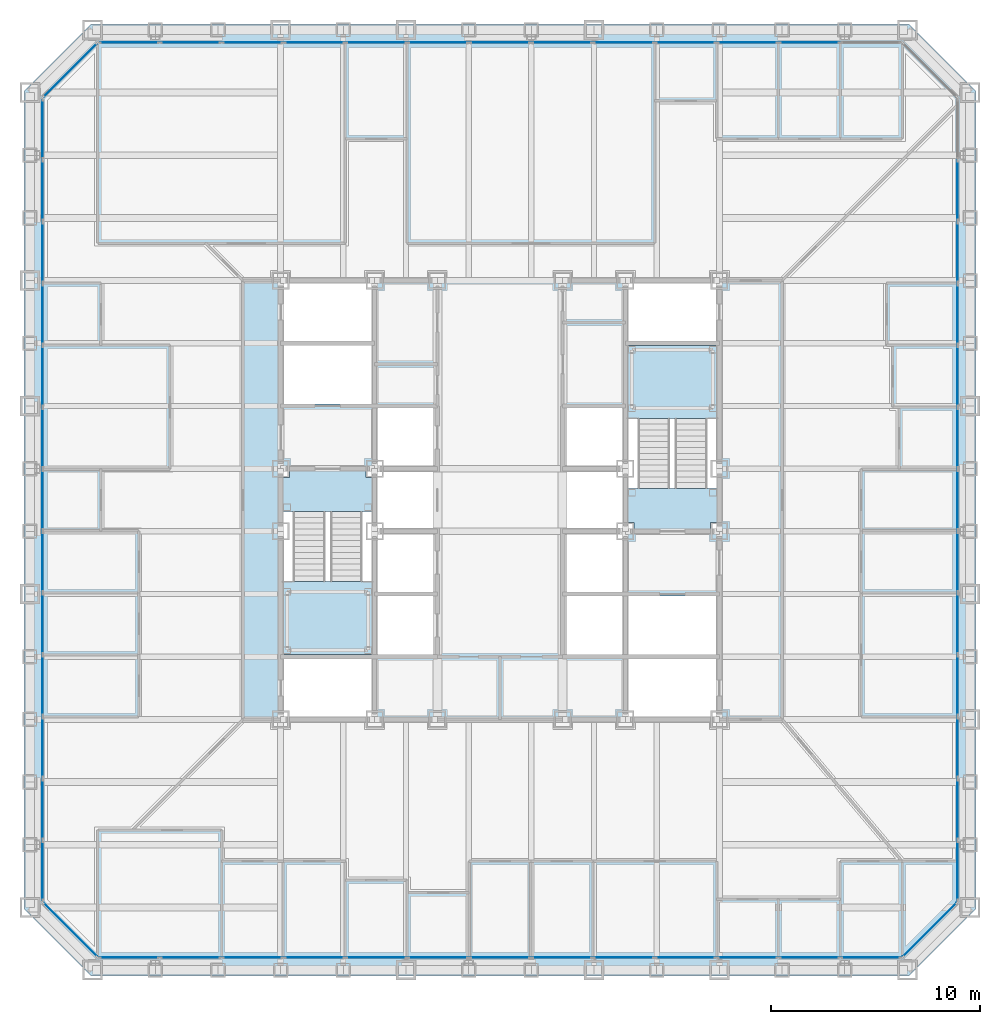
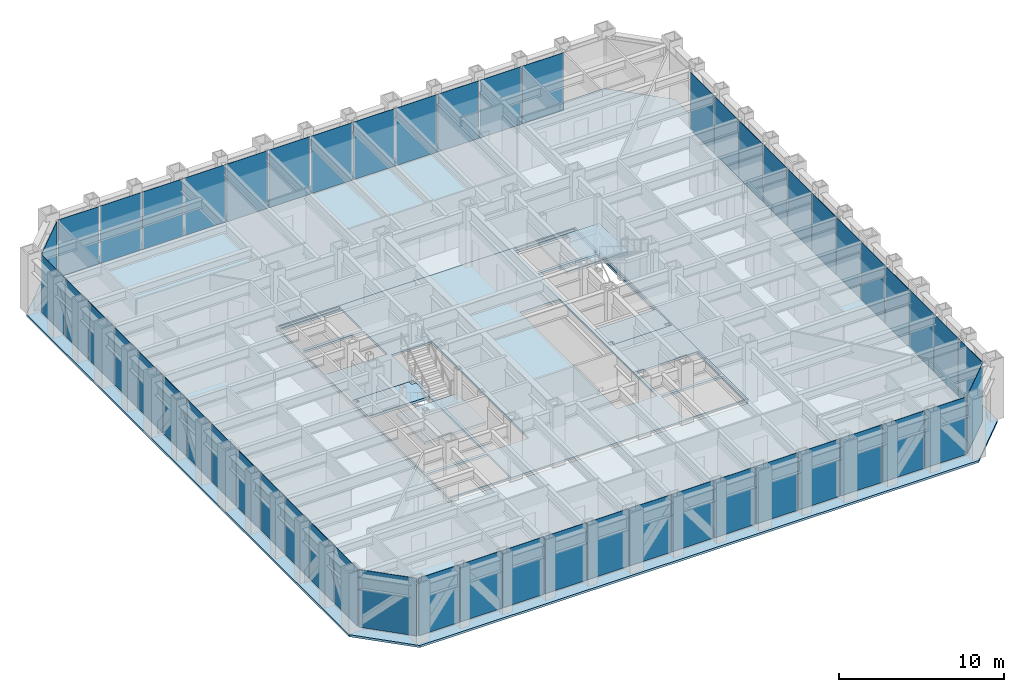
# One storey, part 7 of 16: 53 plates, 6 slabs, 9 elements without a shape of their own.
"""IFC4 building model written with IfcOpenShell, lengths in metres."""

from ifc_helpers import new_model, si_unit, direction, frame, origin, origin_2d, place, context, subcontext, project, spatial, polyline, rectangle, outline, extrude, material, layer, layer_set, type_object, element, aggregate, save


model = new_model("IFC4")

# Units and contexts
model_context = context("Model", 3, precision=1e-05, world=origin(), true_north=direction((0.0, 1.0)))
body_context = subcontext(model_context, "Body", "Model", "MODEL_VIEW")
ifc_project = project(units=[si_unit("LENGTHUNIT", "METRE"), si_unit("AREAUNIT", "SQUARE_METRE"), si_unit("VOLUMEUNIT", "CUBIC_METRE"), si_unit("PLANEANGLEUNIT", "RADIAN"), si_unit("MASSUNIT", "GRAM", prefix="KILO")], contexts=[model_context])

# Site, building, storey
site_placement = place(None, origin())
site = spatial("IfcSite", under=ifc_project, at=site_placement, CompositionType="ELEMENT")
building_placement = place(site_placement, origin())
building = spatial("IfcBuilding", under=site, at=building_placement, Name="Chuquiago Exchange Tower", CompositionType="ELEMENT")
storey_placement = place(building_placement, frame((0.0, 0.0, 28.800048828125)))
storey = spatial("IfcBuildingStorey", under=building, at=storey_placement, Name="L05", CompositionType="ELEMENT", Elevation=28.800048828125)

# Curtain wall, plates
ifc_material_1 = material(Name="Aluminium curtain wall system", Category="aluminium")
ifc_layer_1 = layer(ifc_material_1, 0.25)
ifc_layer_set_1 = layer_set([ifc_layer_1], Name="CW1 trading floor curtain wall")
curtain_wall_type_1 = type_object("IfcCurtainWallType", Name="CW1 trading floor curtain wall", PredefinedType="NOTDEFINED", material=ifc_layer_set_1)
curtain_wall_1_placement = place(storey_placement, origin())
curtain_wall_1 = element("IfcCurtainWall", 1, at=curtain_wall_1_placement, inside=storey, type_object=curtain_wall_type_1, Name="CW1 curtain wall L05", PredefinedType="NOTDEFINED")
ifc_material_2 = material(Name="Glass, insulating unit", Category="glass")
ifc_layer_2 = layer(ifc_material_2, 0.031982421875)
ifc_layer_set_2 = layer_set([ifc_layer_2], Name="CW1-P panel 32")
plate_type_1 = type_object("IfcPlateType", Name="CW1-P panel 32", PredefinedType="CURTAIN_PANEL", material=ifc_layer_set_2)
plate_1_placement = place(storey_placement, frame((10.65283203125, 0.60009765625, -0.22509765625), z_axis=(0.0, 0.0, 1.0), x_axis=(1.0, 0.0, 0.0)))
plate_1 = element("IfcPlate", 2, at=plate_1_placement, type_object=plate_type_1, Name="CW1 panel 3.1", PredefinedType="CURTAIN_PANEL", context=body_context, shape_type="SweptSolid", body=[
    extrude(rectangle(XDim=2.88671875, YDim=0.031982421875, at=origin_2d()), origin(), (0.0, 0.0, 1.0), 4.264892578125),
])
plate_2_placement = place(storey_placement, frame((13.61474609375, 0.60009765625, -0.22509765625), z_axis=(0.0, 0.0, 1.0), x_axis=(1.0, 0.0, 0.0)))
plate_2 = element("IfcPlate", 3, at=plate_2_placement, type_object=plate_type_1, Name="CW1 panel 4.1", PredefinedType="CURTAIN_PANEL", context=body_context, shape_type="SweptSolid", body=[
    extrude(rectangle(XDim=2.88671875, YDim=0.031982421875, at=origin_2d()), origin(), (0.0, 0.0, 1.0), 4.264892578125),
])
plate_3_placement = place(storey_placement, frame((16.576416015625, 0.60009765625, -0.22509765625), z_axis=(0.0, 0.0, 1.0), x_axis=(1.0, 0.0, 0.0)))
plate_3 = element("IfcPlate", 4, at=plate_3_placement, type_object=plate_type_1, Name="CW1 panel 5.1", PredefinedType="CURTAIN_PANEL", context=body_context, shape_type="SweptSolid", body=[
    extrude(rectangle(XDim=2.88671875, YDim=0.031982421875, at=origin_2d()), origin(), (0.0, 0.0, 1.0), 4.264892578125),
])
plate_4_placement = place(storey_placement, frame((25.461669921875, 0.60009765625, -0.22509765625), z_axis=(0.0, 0.0, 1.0), x_axis=(1.0, 0.0, 0.0)))
plate_4 = element("IfcPlate", 5, at=plate_4_placement, type_object=plate_type_1, Name="CW1 panel 8.1", PredefinedType="CURTAIN_PANEL", context=body_context, shape_type="SweptSolid", body=[
    extrude(rectangle(XDim=2.88671875, YDim=0.031982421875, at=origin_2d()), origin(), (0.0, 0.0, 1.0), 4.264892578125),
])
plate_5_placement = place(storey_placement, frame((28.423583984375, 0.60009765625, -0.22509765625), z_axis=(0.0, 0.0, 1.0), x_axis=(1.0, 0.0, 0.0)))
plate_5 = element("IfcPlate", 6, at=plate_5_placement, type_object=plate_type_1, Name="CW1 panel 9.1", PredefinedType="CURTAIN_PANEL", context=body_context, shape_type="SweptSolid", body=[
    extrude(rectangle(XDim=2.88671875, YDim=0.031982421875, at=origin_2d()), origin(), (0.0, 0.0, 1.0), 4.264892578125),
])
plate_6_placement = place(storey_placement, frame((31.38525390625, 0.60009765625, -0.22509765625), z_axis=(0.0, 0.0, 1.0), x_axis=(1.0, 0.0, 0.0)))
plate_6 = element("IfcPlate", 7, at=plate_6_placement, type_object=plate_type_1, Name="CW1 panel 10.1", PredefinedType="CURTAIN_PANEL", context=body_context, shape_type="SweptSolid", body=[
    extrude(rectangle(XDim=2.88671875, YDim=0.031982421875, at=origin_2d()), origin(), (0.0, 0.0, 1.0), 4.264892578125),
])
plate_7_placement = place(storey_placement, frame((34.34716796875, 0.60009765625, -0.22509765625), z_axis=(0.0, 0.0, 1.0), x_axis=(1.0, 0.0, 0.0)))
plate_7 = element("IfcPlate", 8, at=plate_7_placement, type_object=plate_type_1, Name="CW1 panel 11.1", PredefinedType="CURTAIN_PANEL", context=body_context, shape_type="SweptSolid", body=[
    extrude(rectangle(XDim=2.88671875, YDim=0.031982421875, at=origin_2d()), origin(), (0.0, 0.0, 1.0), 4.264892578125),
])

curtain_wall_2_placement = place(storey_placement, origin())
curtain_wall_2 = element("IfcCurtainWall", 9, at=curtain_wall_2_placement, inside=storey, type_object=curtain_wall_type_1, Name="CW1 curtain wall L05", PredefinedType="NOTDEFINED")
plate_8_placement = place(storey_placement, frame((44.39990234375, 10.65283203125, -0.22509765625), z_axis=(0.0, 0.0, 1.0), x_axis=(0.0, 1.0, 0.0)))
plate_8 = element("IfcPlate", 10, at=plate_8_placement, type_object=plate_type_1, Name="CW1 panel 3.1", PredefinedType="CURTAIN_PANEL", context=body_context, shape_type="SweptSolid", body=[
    extrude(rectangle(XDim=2.88671875, YDim=0.031982421875, at=origin_2d()), origin(), (0.0, 0.0, 1.0), 4.264892578125),
])
plate_9_placement = place(storey_placement, frame((44.39990234375, 13.61474609375, -0.22509765625), z_axis=(0.0, 0.0, 1.0), x_axis=(0.0, 1.0, 0.0)))
plate_9 = element("IfcPlate", 11, at=plate_9_placement, type_object=plate_type_1, Name="CW1 panel 4.1", PredefinedType="CURTAIN_PANEL", context=body_context, shape_type="SweptSolid", body=[
    extrude(rectangle(XDim=2.88671875, YDim=0.031982421875, at=origin_2d()), origin(), (0.0, 0.0, 1.0), 4.264892578125),
])
plate_10_placement = place(storey_placement, frame((44.39990234375, 16.576416015625, -0.22509765625), z_axis=(0.0, 0.0, 1.0), x_axis=(0.0, 1.0, 0.0)))
plate_10 = element("IfcPlate", 12, at=plate_10_placement, type_object=plate_type_1, Name="CW1 panel 5.1", PredefinedType="CURTAIN_PANEL", context=body_context, shape_type="SweptSolid", body=[
    extrude(rectangle(XDim=2.88671875, YDim=0.031982421875, at=origin_2d()), origin(), (0.0, 0.0, 1.0), 4.264892578125),
])
plate_11_placement = place(storey_placement, frame((44.39990234375, 25.461669921875, -0.22509765625), z_axis=(0.0, 0.0, 1.0), x_axis=(0.0, 1.0, 0.0)))
plate_11 = element("IfcPlate", 13, at=plate_11_placement, type_object=plate_type_1, Name="CW1 panel 8.1", PredefinedType="CURTAIN_PANEL", context=body_context, shape_type="SweptSolid", body=[
    extrude(rectangle(XDim=2.88671875, YDim=0.031982421875, at=origin_2d()), origin(), (0.0, 0.0, 1.0), 4.264892578125),
])
plate_12_placement = place(storey_placement, frame((44.39990234375, 28.423583984375, -0.22509765625), z_axis=(0.0, 0.0, 1.0), x_axis=(0.0, 1.0, 0.0)))
plate_12 = element("IfcPlate", 14, at=plate_12_placement, type_object=plate_type_1, Name="CW1 panel 9.1", PredefinedType="CURTAIN_PANEL", context=body_context, shape_type="SweptSolid", body=[
    extrude(rectangle(XDim=2.88671875, YDim=0.031982421875, at=origin_2d()), origin(), (0.0, 0.0, 1.0), 4.264892578125),
])
plate_13_placement = place(storey_placement, frame((44.39990234375, 31.38525390625, -0.22509765625), z_axis=(0.0, 0.0, 1.0), x_axis=(0.0, 1.0, 0.0)))
plate_13 = element("IfcPlate", 15, at=plate_13_placement, type_object=plate_type_1, Name="CW1 panel 10.1", PredefinedType="CURTAIN_PANEL", context=body_context, shape_type="SweptSolid", body=[
    extrude(rectangle(XDim=2.88671875, YDim=0.031982421875, at=origin_2d()), origin(), (0.0, 0.0, 1.0), 4.264892578125),
])
plate_14_placement = place(storey_placement, frame((44.39990234375, 34.34716796875, -0.22509765625), z_axis=(0.0, 0.0, 1.0), x_axis=(0.0, 1.0, 0.0)))
plate_14 = element("IfcPlate", 16, at=plate_14_placement, type_object=plate_type_1, Name="CW1 panel 11.1", PredefinedType="CURTAIN_PANEL", context=body_context, shape_type="SweptSolid", body=[
    extrude(rectangle(XDim=2.88671875, YDim=0.031982421875, at=origin_2d()), origin(), (0.0, 0.0, 1.0), 4.264892578125),
])

curtain_wall_3_placement = place(storey_placement, origin())
curtain_wall_3 = element("IfcCurtainWall", 17, at=curtain_wall_3_placement, inside=storey, type_object=curtain_wall_type_1, Name="CW1 curtain wall L05", PredefinedType="NOTDEFINED")
plate_15_placement = place(storey_placement, frame((34.34716796875, 44.39990234375, -0.22509765625), z_axis=(0.0, 0.0, 1.0), x_axis=(-1.0, 0.0, 0.0)))
plate_15 = element("IfcPlate", 18, at=plate_15_placement, type_object=plate_type_1, Name="CW1 panel 3.1", PredefinedType="CURTAIN_PANEL", context=body_context, shape_type="SweptSolid", body=[
    extrude(rectangle(XDim=2.88671875, YDim=0.031982421875, at=origin_2d()), origin(), (0.0, 0.0, 1.0), 4.264892578125),
])
plate_16_placement = place(storey_placement, frame((31.38525390625, 44.39990234375, -0.22509765625), z_axis=(0.0, 0.0, 1.0), x_axis=(-1.0, 0.0, 0.0)))
plate_16 = element("IfcPlate", 19, at=plate_16_placement, type_object=plate_type_1, Name="CW1 panel 4.1", PredefinedType="CURTAIN_PANEL", context=body_context, shape_type="SweptSolid", body=[
    extrude(rectangle(XDim=2.88671875, YDim=0.031982421875, at=origin_2d()), origin(), (0.0, 0.0, 1.0), 4.264892578125),
])
plate_17_placement = place(storey_placement, frame((28.423583984375, 44.39990234375, -0.22509765625), z_axis=(0.0, 0.0, 1.0), x_axis=(-1.0, 0.0, 0.0)))
plate_17 = element("IfcPlate", 20, at=plate_17_placement, type_object=plate_type_1, Name="CW1 panel 5.1", PredefinedType="CURTAIN_PANEL", context=body_context, shape_type="SweptSolid", body=[
    extrude(rectangle(XDim=2.88671875, YDim=0.031982421875, at=origin_2d()), origin(), (0.0, 0.0, 1.0), 4.264892578125),
])
plate_18_placement = place(storey_placement, frame((19.538330078125, 44.39990234375, -0.22509765625), z_axis=(0.0, 0.0, 1.0), x_axis=(-1.0, 0.0, 0.0)))
plate_18 = element("IfcPlate", 21, at=plate_18_placement, type_object=plate_type_1, Name="CW1 panel 8.1", PredefinedType="CURTAIN_PANEL", context=body_context, shape_type="SweptSolid", body=[
    extrude(rectangle(XDim=2.88671875, YDim=0.031982421875, at=origin_2d()), origin(), (0.0, 0.0, 1.0), 4.264892578125),
])
plate_19_placement = place(storey_placement, frame((16.576416015625, 44.39990234375, -0.22509765625), z_axis=(0.0, 0.0, 1.0), x_axis=(-1.0, 0.0, 0.0)))
plate_19 = element("IfcPlate", 22, at=plate_19_placement, type_object=plate_type_1, Name="CW1 panel 9.1", PredefinedType="CURTAIN_PANEL", context=body_context, shape_type="SweptSolid", body=[
    extrude(rectangle(XDim=2.88671875, YDim=0.031982421875, at=origin_2d()), origin(), (0.0, 0.0, 1.0), 4.264892578125),
])
plate_20_placement = place(storey_placement, frame((13.61474609375, 44.39990234375, -0.22509765625), z_axis=(0.0, 0.0, 1.0), x_axis=(-1.0, 0.0, 0.0)))
plate_20 = element("IfcPlate", 23, at=plate_20_placement, type_object=plate_type_1, Name="CW1 panel 10.1", PredefinedType="CURTAIN_PANEL", context=body_context, shape_type="SweptSolid", body=[
    extrude(rectangle(XDim=2.88671875, YDim=0.031982421875, at=origin_2d()), origin(), (0.0, 0.0, 1.0), 4.264892578125),
])
plate_21_placement = place(storey_placement, frame((10.65283203125, 44.39990234375, -0.22509765625), z_axis=(0.0, 0.0, 1.0), x_axis=(-1.0, 0.0, 0.0)))
plate_21 = element("IfcPlate", 24, at=plate_21_placement, type_object=plate_type_1, Name="CW1 panel 11.1", PredefinedType="CURTAIN_PANEL", context=body_context, shape_type="SweptSolid", body=[
    extrude(rectangle(XDim=2.88671875, YDim=0.031982421875, at=origin_2d()), origin(), (0.0, 0.0, 1.0), 4.264892578125),
])

curtain_wall_4_placement = place(storey_placement, origin())
curtain_wall_4 = element("IfcCurtainWall", 25, at=curtain_wall_4_placement, inside=storey, type_object=curtain_wall_type_1, Name="CW1 curtain wall L05", PredefinedType="NOTDEFINED")
plate_22_placement = place(storey_placement, frame((0.60009765625, 34.34716796875, -0.22509765625), z_axis=(0.0, 0.0, 1.0), x_axis=(0.0, -1.0, 0.0)))
plate_22 = element("IfcPlate", 26, at=plate_22_placement, type_object=plate_type_1, Name="CW1 panel 3.1", PredefinedType="CURTAIN_PANEL", context=body_context, shape_type="SweptSolid", body=[
    extrude(rectangle(XDim=2.88671875, YDim=0.031982421875, at=origin_2d()), origin(), (0.0, 0.0, 1.0), 4.264892578125),
])
plate_23_placement = place(storey_placement, frame((0.60009765625, 31.38525390625, -0.22509765625), z_axis=(0.0, 0.0, 1.0), x_axis=(0.0, -1.0, 0.0)))
plate_23 = element("IfcPlate", 27, at=plate_23_placement, type_object=plate_type_1, Name="CW1 panel 4.1", PredefinedType="CURTAIN_PANEL", context=body_context, shape_type="SweptSolid", body=[
    extrude(rectangle(XDim=2.88671875, YDim=0.031982421875, at=origin_2d()), origin(), (0.0, 0.0, 1.0), 4.264892578125),
])
plate_24_placement = place(storey_placement, frame((0.60009765625, 28.423583984375, -0.22509765625), z_axis=(0.0, 0.0, 1.0), x_axis=(0.0, -1.0, 0.0)))
plate_24 = element("IfcPlate", 28, at=plate_24_placement, type_object=plate_type_1, Name="CW1 panel 5.1", PredefinedType="CURTAIN_PANEL", context=body_context, shape_type="SweptSolid", body=[
    extrude(rectangle(XDim=2.88671875, YDim=0.031982421875, at=origin_2d()), origin(), (0.0, 0.0, 1.0), 4.264892578125),
])
plate_25_placement = place(storey_placement, frame((0.60009765625, 19.538330078125, -0.22509765625), z_axis=(0.0, 0.0, 1.0), x_axis=(0.0, -1.0, 0.0)))
plate_25 = element("IfcPlate", 29, at=plate_25_placement, type_object=plate_type_1, Name="CW1 panel 8.1", PredefinedType="CURTAIN_PANEL", context=body_context, shape_type="SweptSolid", body=[
    extrude(rectangle(XDim=2.88671875, YDim=0.031982421875, at=origin_2d()), origin(), (0.0, 0.0, 1.0), 4.264892578125),
])
plate_26_placement = place(storey_placement, frame((0.60009765625, 16.576416015625, -0.22509765625), z_axis=(0.0, 0.0, 1.0), x_axis=(0.0, -1.0, 0.0)))
plate_26 = element("IfcPlate", 30, at=plate_26_placement, type_object=plate_type_1, Name="CW1 panel 9.1", PredefinedType="CURTAIN_PANEL", context=body_context, shape_type="SweptSolid", body=[
    extrude(rectangle(XDim=2.88671875, YDim=0.031982421875, at=origin_2d()), origin(), (0.0, 0.0, 1.0), 4.264892578125),
])
plate_27_placement = place(storey_placement, frame((0.60009765625, 13.61474609375, -0.22509765625), z_axis=(0.0, 0.0, 1.0), x_axis=(0.0, -1.0, 0.0)))
plate_27 = element("IfcPlate", 31, at=plate_27_placement, type_object=plate_type_1, Name="CW1 panel 10.1", PredefinedType="CURTAIN_PANEL", context=body_context, shape_type="SweptSolid", body=[
    extrude(rectangle(XDim=2.88671875, YDim=0.031982421875, at=origin_2d()), origin(), (0.0, 0.0, 1.0), 4.264892578125),
])
plate_28_placement = place(storey_placement, frame((0.60009765625, 10.65283203125, -0.22509765625), z_axis=(0.0, 0.0, 1.0), x_axis=(0.0, -1.0, 0.0)))
plate_28 = element("IfcPlate", 32, at=plate_28_placement, type_object=plate_type_1, Name="CW1 panel 11.1", PredefinedType="CURTAIN_PANEL", context=body_context, shape_type="SweptSolid", body=[
    extrude(rectangle(XDim=2.88671875, YDim=0.031982421875, at=origin_2d()), origin(), (0.0, 0.0, 1.0), 4.264892578125),
])

# Plate
ifc_material_3 = material(Name="Insulated spandrel panel, pale anodised aluminium", Category="aluminium")
ifc_layer_3 = layer(ifc_material_3, 0.031982421875)
ifc_layer_set_3 = layer_set([ifc_layer_3], Name="CW1-P spandrel panel 32")
plate_type_2 = type_object("IfcPlateType", Name="CW1-P spandrel panel 32", PredefinedType="CURTAIN_PANEL", material=ifc_layer_set_3)
plate_29_placement = place(storey_placement, frame((4.748046875, 0.60009765625, -0.22509765625), z_axis=(0.0, 0.0, 1.0), x_axis=(1.0, 0.0, 0.0)))
plate_29 = element("IfcPlate", 33, at=plate_29_placement, type_object=plate_type_2, Name="CW1 panel 1.1", PredefinedType="CURTAIN_PANEL", context=body_context, shape_type="SweptSolid", body=[
    extrude(rectangle(XDim=2.849365234375, YDim=0.031982421875, at=origin_2d()), origin(), (0.0, 0.0, 1.0), 4.264892578125),
])

plate_30_placement = place(storey_placement, frame((7.691162109375, 0.60009765625, -0.22509765625), z_axis=(0.0, 0.0, 1.0), x_axis=(1.0, 0.0, 0.0)))
plate_30 = element("IfcPlate", 34, at=plate_30_placement, type_object=plate_type_2, Name="CW1 panel 2.1", PredefinedType="CURTAIN_PANEL", context=body_context, shape_type="SweptSolid", body=[
    extrude(rectangle(XDim=2.88671875, YDim=0.031982421875, at=origin_2d()), origin(), (0.0, 0.0, 1.0), 4.264892578125),
])

plate_31_placement = place(storey_placement, frame((19.538330078125, 0.60009765625, -0.22509765625), z_axis=(0.0, 0.0, 1.0), x_axis=(1.0, 0.0, 0.0)))
plate_31 = element("IfcPlate", 35, at=plate_31_placement, type_object=plate_type_2, Name="CW1 panel 6.1", PredefinedType="CURTAIN_PANEL", context=body_context, shape_type="SweptSolid", body=[
    extrude(rectangle(XDim=2.88671875, YDim=0.031982421875, at=origin_2d()), origin(), (0.0, 0.0, 1.0), 4.264892578125),
])

plate_32_placement = place(storey_placement, frame((22.5, 0.60009765625, -0.22509765625), z_axis=(0.0, 0.0, 1.0), x_axis=(1.0, 0.0, 0.0)))
plate_32 = element("IfcPlate", 36, at=plate_32_placement, type_object=plate_type_2, Name="CW1 panel 7.1", PredefinedType="CURTAIN_PANEL", context=body_context, shape_type="SweptSolid", body=[
    extrude(rectangle(XDim=2.88671875, YDim=0.031982421875, at=origin_2d()), origin(), (0.0, 0.0, 1.0), 4.264892578125),
])

plate_33_placement = place(storey_placement, frame((37.308837890625, 0.60009765625, -0.22509765625), z_axis=(0.0, 0.0, 1.0), x_axis=(1.0, 0.0, 0.0)))
plate_33 = element("IfcPlate", 37, at=plate_33_placement, type_object=plate_type_2, Name="CW1 panel 12.1", PredefinedType="CURTAIN_PANEL", context=body_context, shape_type="SweptSolid", body=[
    extrude(rectangle(XDim=2.88671875, YDim=0.031982421875, at=origin_2d()), origin(), (0.0, 0.0, 1.0), 4.264892578125),
])

plate_34_placement = place(storey_placement, frame((40.251953125, 0.60009765625, -0.22509765625), z_axis=(0.0, 0.0, 1.0), x_axis=(1.0, 0.0, 0.0)))
plate_34 = element("IfcPlate", 38, at=plate_34_placement, type_object=plate_type_2, Name="CW1 panel 13.1", PredefinedType="CURTAIN_PANEL", context=body_context, shape_type="SweptSolid", body=[
    extrude(rectangle(XDim=2.849365234375, YDim=0.031982421875, at=origin_2d()), origin(), (0.0, 0.0, 1.0), 4.264892578125),
])

aggregate(curtain_wall_1, [plate_29, plate_30, plate_1, plate_2, plate_3, plate_31, plate_32, plate_4, plate_5, plate_6, plate_7, plate_33, plate_34])

plate_35_placement = place(storey_placement, frame((44.39990234375, 4.748046875, -0.22509765625), z_axis=(0.0, 0.0, 1.0), x_axis=(0.0, 1.0, 0.0)))
plate_35 = element("IfcPlate", 39, at=plate_35_placement, type_object=plate_type_2, Name="CW1 panel 1.1", PredefinedType="CURTAIN_PANEL", context=body_context, shape_type="SweptSolid", body=[
    extrude(rectangle(XDim=2.849365234375, YDim=0.031982421875, at=origin_2d()), origin(), (0.0, 0.0, 1.0), 4.264892578125),
])

plate_36_placement = place(storey_placement, frame((44.39990234375, 7.691162109375, -0.22509765625), z_axis=(0.0, 0.0, 1.0), x_axis=(0.0, 1.0, 0.0)))
plate_36 = element("IfcPlate", 40, at=plate_36_placement, type_object=plate_type_2, Name="CW1 panel 2.1", PredefinedType="CURTAIN_PANEL", context=body_context, shape_type="SweptSolid", body=[
    extrude(rectangle(XDim=2.88671875, YDim=0.031982421875, at=origin_2d()), origin(), (0.0, 0.0, 1.0), 4.264892578125),
])

plate_37_placement = place(storey_placement, frame((44.39990234375, 19.538330078125, -0.22509765625), z_axis=(0.0, 0.0, 1.0), x_axis=(0.0, 1.0, 0.0)))
plate_37 = element("IfcPlate", 41, at=plate_37_placement, type_object=plate_type_2, Name="CW1 panel 6.1", PredefinedType="CURTAIN_PANEL", context=body_context, shape_type="SweptSolid", body=[
    extrude(rectangle(XDim=2.88671875, YDim=0.031982421875, at=origin_2d()), origin(), (0.0, 0.0, 1.0), 4.264892578125),
])

plate_38_placement = place(storey_placement, frame((44.39990234375, 22.5, -0.22509765625), z_axis=(0.0, 0.0, 1.0), x_axis=(0.0, 1.0, 0.0)))
plate_38 = element("IfcPlate", 42, at=plate_38_placement, type_object=plate_type_2, Name="CW1 panel 7.1", PredefinedType="CURTAIN_PANEL", context=body_context, shape_type="SweptSolid", body=[
    extrude(rectangle(XDim=2.88671875, YDim=0.031982421875, at=origin_2d()), origin(), (0.0, 0.0, 1.0), 4.264892578125),
])

plate_39_placement = place(storey_placement, frame((44.39990234375, 37.308837890625, -0.22509765625), z_axis=(0.0, 0.0, 1.0), x_axis=(0.0, 1.0, 0.0)))
plate_39 = element("IfcPlate", 43, at=plate_39_placement, type_object=plate_type_2, Name="CW1 panel 12.1", PredefinedType="CURTAIN_PANEL", context=body_context, shape_type="SweptSolid", body=[
    extrude(rectangle(XDim=2.88671875, YDim=0.031982421875, at=origin_2d()), origin(), (0.0, 0.0, 1.0), 4.264892578125),
])

aggregate(curtain_wall_2, [plate_35, plate_36, plate_8, plate_9, plate_10, plate_37, plate_38, plate_11, plate_12, plate_13, plate_14, plate_39])

plate_40_placement = place(storey_placement, frame((37.308837890625, 44.39990234375, -0.22509765625), z_axis=(0.0, 0.0, 1.0), x_axis=(-1.0, 0.0, 0.0)))
plate_40 = element("IfcPlate", 44, at=plate_40_placement, type_object=plate_type_2, Name="CW1 panel 2.1", PredefinedType="CURTAIN_PANEL", context=body_context, shape_type="SweptSolid", body=[
    extrude(rectangle(XDim=2.88671875, YDim=0.031982421875, at=origin_2d()), origin(), (0.0, 0.0, 1.0), 4.264892578125),
])

plate_41_placement = place(storey_placement, frame((25.461669921875, 44.39990234375, -0.22509765625), z_axis=(0.0, 0.0, 1.0), x_axis=(-1.0, 0.0, 0.0)))
plate_41 = element("IfcPlate", 45, at=plate_41_placement, type_object=plate_type_2, Name="CW1 panel 6.1", PredefinedType="CURTAIN_PANEL", context=body_context, shape_type="SweptSolid", body=[
    extrude(rectangle(XDim=2.88671875, YDim=0.031982421875, at=origin_2d()), origin(), (0.0, 0.0, 1.0), 4.264892578125),
])

plate_42_placement = place(storey_placement, frame((22.5, 44.39990234375, -0.22509765625), z_axis=(0.0, 0.0, 1.0), x_axis=(-1.0, 0.0, 0.0)))
plate_42 = element("IfcPlate", 46, at=plate_42_placement, type_object=plate_type_2, Name="CW1 panel 7.1", PredefinedType="CURTAIN_PANEL", context=body_context, shape_type="SweptSolid", body=[
    extrude(rectangle(XDim=2.88671875, YDim=0.031982421875, at=origin_2d()), origin(), (0.0, 0.0, 1.0), 4.264892578125),
])

plate_43_placement = place(storey_placement, frame((7.691162109375, 44.39990234375, -0.22509765625), z_axis=(0.0, 0.0, 1.0), x_axis=(-1.0, 0.0, 0.0)))
plate_43 = element("IfcPlate", 47, at=plate_43_placement, type_object=plate_type_2, Name="CW1 panel 12.1", PredefinedType="CURTAIN_PANEL", context=body_context, shape_type="SweptSolid", body=[
    extrude(rectangle(XDim=2.88671875, YDim=0.031982421875, at=origin_2d()), origin(), (0.0, 0.0, 1.0), 4.264892578125),
])

plate_44_placement = place(storey_placement, frame((4.748046875, 44.39990234375, -0.22509765625), z_axis=(0.0, 0.0, 1.0), x_axis=(-1.0, 0.0, 0.0)))
plate_44 = element("IfcPlate", 48, at=plate_44_placement, type_object=plate_type_2, Name="CW1 panel 13.1", PredefinedType="CURTAIN_PANEL", context=body_context, shape_type="SweptSolid", body=[
    extrude(rectangle(XDim=2.849365234375, YDim=0.031982421875, at=origin_2d()), origin(), (0.0, 0.0, 1.0), 4.264892578125),
])

aggregate(curtain_wall_3, [plate_40, plate_15, plate_16, plate_17, plate_41, plate_42, plate_18, plate_19, plate_20, plate_21, plate_43, plate_44])

plate_45_placement = place(storey_placement, frame((0.60009765625, 40.251953125, -0.22509765625), z_axis=(0.0, 0.0, 1.0), x_axis=(0.0, -1.0, 0.0)))
plate_45 = element("IfcPlate", 49, at=plate_45_placement, type_object=plate_type_2, Name="CW1 panel 1.1", PredefinedType="CURTAIN_PANEL", context=body_context, shape_type="SweptSolid", body=[
    extrude(rectangle(XDim=2.849365234375, YDim=0.031982421875, at=origin_2d()), origin(), (0.0, 0.0, 1.0), 4.264892578125),
])

plate_46_placement = place(storey_placement, frame((0.60009765625, 37.308837890625, -0.22509765625), z_axis=(0.0, 0.0, 1.0), x_axis=(0.0, -1.0, 0.0)))
plate_46 = element("IfcPlate", 50, at=plate_46_placement, type_object=plate_type_2, Name="CW1 panel 2.1", PredefinedType="CURTAIN_PANEL", context=body_context, shape_type="SweptSolid", body=[
    extrude(rectangle(XDim=2.88671875, YDim=0.031982421875, at=origin_2d()), origin(), (0.0, 0.0, 1.0), 4.264892578125),
])

plate_47_placement = place(storey_placement, frame((0.60009765625, 25.461669921875, -0.22509765625), z_axis=(0.0, 0.0, 1.0), x_axis=(0.0, -1.0, 0.0)))
plate_47 = element("IfcPlate", 51, at=plate_47_placement, type_object=plate_type_2, Name="CW1 panel 6.1", PredefinedType="CURTAIN_PANEL", context=body_context, shape_type="SweptSolid", body=[
    extrude(rectangle(XDim=2.88671875, YDim=0.031982421875, at=origin_2d()), origin(), (0.0, 0.0, 1.0), 4.264892578125),
])

plate_48_placement = place(storey_placement, frame((0.60009765625, 22.5, -0.22509765625), z_axis=(0.0, 0.0, 1.0), x_axis=(0.0, -1.0, 0.0)))
plate_48 = element("IfcPlate", 52, at=plate_48_placement, type_object=plate_type_2, Name="CW1 panel 7.1", PredefinedType="CURTAIN_PANEL", context=body_context, shape_type="SweptSolid", body=[
    extrude(rectangle(XDim=2.88671875, YDim=0.031982421875, at=origin_2d()), origin(), (0.0, 0.0, 1.0), 4.264892578125),
])

plate_49_placement = place(storey_placement, frame((0.60009765625, 7.691162109375, -0.22509765625), z_axis=(0.0, 0.0, 1.0), x_axis=(0.0, -1.0, 0.0)))
plate_49 = element("IfcPlate", 53, at=plate_49_placement, type_object=plate_type_2, Name="CW1 panel 12.1", PredefinedType="CURTAIN_PANEL", context=body_context, shape_type="SweptSolid", body=[
    extrude(rectangle(XDim=2.88671875, YDim=0.031982421875, at=origin_2d()), origin(), (0.0, 0.0, 1.0), 4.264892578125),
])

plate_50_placement = place(storey_placement, frame((0.60009765625, 4.748046875, -0.22509765625), z_axis=(0.0, 0.0, 1.0), x_axis=(0.0, -1.0, 0.0)))
plate_50 = element("IfcPlate", 54, at=plate_50_placement, type_object=plate_type_2, Name="CW1 panel 13.1", PredefinedType="CURTAIN_PANEL", context=body_context, shape_type="SweptSolid", body=[
    extrude(rectangle(XDim=2.849365234375, YDim=0.031982421875, at=origin_2d()), origin(), (0.0, 0.0, 1.0), 4.264892578125),
])

aggregate(curtain_wall_4, [plate_45, plate_46, plate_22, plate_23, plate_24, plate_47, plate_48, plate_25, plate_26, plate_27, plate_28, plate_49, plate_50])

# Curtain wall, plate
ifc_material_4 = material(Name="Aluminium curtain wall system", Category="aluminium")
ifc_layer_4 = layer(ifc_material_4, 0.199951171875)
ifc_layer_set_4 = layer_set([ifc_layer_4], Name="CW3 facet curtain wall")
curtain_wall_type_2 = type_object("IfcCurtainWallType", Name="CW3 facet curtain wall", PredefinedType="NOTDEFINED", material=ifc_layer_set_4)
curtain_wall_5_placement = place(storey_placement, origin())
curtain_wall_5 = element("IfcCurtainWall", 55, at=curtain_wall_5_placement, inside=storey, type_object=curtain_wall_type_2, Name="CW3 curtain wall L05", PredefinedType="NOTDEFINED")
ifc_material_5 = material(Name="Insulated spandrel panel, pale anodised aluminium", Category="aluminium")
ifc_layer_5 = layer(ifc_material_5, 0.030029296875)
ifc_layer_set_5 = layer_set([ifc_layer_5], Name="CW3-P spandrel panel 30")
plate_type_3 = type_object("IfcPlateType", Name="CW3-P spandrel panel 30", PredefinedType="CURTAIN_PANEL", material=ifc_layer_set_5)
plate_51_placement = place(storey_placement, frame((43.07568359375, 1.92431640625, -0.235107421875), z_axis=(0.0, 0.0, 1.0), x_axis=(0.707106781187, 0.707106781187, 0.0)))
plate_51 = element("IfcPlate", 56, at=plate_51_placement, type_object=plate_type_3, Name="CW3 panel 1.1", PredefinedType="CURTAIN_PANEL", context=body_context, shape_type="SweptSolid", body=[
    extrude(rectangle(XDim=3.615478515625, YDim=0.030029296875, at=origin_2d()), origin(), (0.0, 0.0, 1.0), 4.27490234375),
])
aggregate(curtain_wall_5, [plate_51])

curtain_wall_6_placement = place(storey_placement, origin())
curtain_wall_6 = element("IfcCurtainWall", 57, at=curtain_wall_6_placement, inside=storey, type_object=curtain_wall_type_2, Name="CW3 curtain wall L05", PredefinedType="NOTDEFINED")
plate_52_placement = place(storey_placement, frame((1.92431640625, 43.07568359375, -0.235107421875), z_axis=(0.0, 0.0, 1.0), x_axis=(-0.707106781187, -0.707106781187, 0.0)))
plate_52 = element("IfcPlate", 58, at=plate_52_placement, type_object=plate_type_3, Name="CW3 panel 1.1", PredefinedType="CURTAIN_PANEL", context=body_context, shape_type="SweptSolid", body=[
    extrude(rectangle(XDim=3.615478515625, YDim=0.030029296875, at=origin_2d()), origin(), (0.0, 0.0, 1.0), 4.27490234375),
])
aggregate(curtain_wall_6, [plate_52])

curtain_wall_7_placement = place(storey_placement, origin())
curtain_wall_7 = element("IfcCurtainWall", 59, at=curtain_wall_7_placement, inside=storey, type_object=curtain_wall_type_2, Name="CW3 curtain wall L05", PredefinedType="NOTDEFINED")
plate_53_placement = place(storey_placement, frame((1.92431640625, 1.92431640625, -0.235107421875), z_axis=(0.0, 0.0, 1.0), x_axis=(0.707106781187, -0.707106781187, 0.0)))
plate_53 = element("IfcPlate", 60, at=plate_53_placement, type_object=plate_type_3, Name="CW3 panel 1.1", PredefinedType="CURTAIN_PANEL", context=body_context, shape_type="SweptSolid", body=[
    extrude(rectangle(XDim=3.615478515625, YDim=0.030029296875, at=origin_2d()), origin(), (0.0, 0.0, 1.0), 4.27490234375),
])
aggregate(curtain_wall_7, [plate_53])

# Slabs
ifc_material_6 = material(Name="Concrete C30/37", Category="concrete")
ifc_layer_6 = layer(ifc_material_6, 0.159912109375)
ifc_layer_set_6 = layer_set([ifc_layer_6], Name="FS1 composite floor 160")
slab_type_1 = type_object("IfcSlabType", Name="FS1 composite floor 160", PredefinedType="FLOOR", material=ifc_layer_set_6)
slab_1_placement = place(storey_placement, frame((0.0, 0.0, -0.4599609375)))
element("IfcSlab", 61, at=slab_1_placement, inside=storey, type_object=slab_type_1, Name="L05 floor slab, lowered under the raised floor", PredefinedType="FLOOR", context=body_context, shape_type="SweptSolid", body=[
    extrude(outline(polyline([(-0.25, 2.896484375), (-0.25, 42.103515625), (2.896484375, 45.25), (42.103515625, 45.25), (45.25, 42.103515625), (45.25, 2.896484375), (42.103515625, -0.25), (2.896484375, -0.25), (-0.25, 2.896484375)]), holes=[polyline([(33.0, 33.0), (12.0, 33.0), (12.0, 12.0), (33.0, 12.0), (33.0, 33.0)])]), origin(), (0.0, 0.0, 1.0), 0.159912109375),
])
slab_2_placement = place(storey_placement, frame((0.0, 0.0, -0.16015625)))
element("IfcSlab", 62, at=slab_2_placement, inside=storey, type_object=slab_type_1, Name="L05 core floor slab", PredefinedType="FLOOR", context=body_context, shape_type="SweptSolid", body=[
    extrude(outline(polyline([(33.0, 12.0), (33.0, 33.0), (12.0, 33.0), (12.0, 12.0), (33.0, 12.0)]), holes=[polyline([(16.39990234375, 15.10009765625), (12.10009765625, 15.10009765625), (12.10009765625, 23.89990234375), (16.39990234375, 23.89990234375), (16.39990234375, 15.10009765625)]), polyline([(32.89990234375, 21.10009765625), (28.60009765625, 21.10009765625), (28.60009765625, 29.89990234375), (32.89990234375, 29.89990234375), (32.89990234375, 21.10009765625)]), polyline([(16.39990234375, 12.10009765625), (12.10009765625, 12.10009765625), (12.10009765625, 14.89990234375), (16.39990234375, 14.89990234375), (16.39990234375, 12.10009765625)]), polyline([(16.39990234375, 30.10009765625), (12.10009765625, 30.10009765625), (12.10009765625, 32.89990234375), (16.39990234375, 32.89990234375), (16.39990234375, 30.10009765625)]), polyline([(32.89990234375, 12.10009765625), (28.60009765625, 12.10009765625), (28.60009765625, 14.89990234375), (32.89990234375, 14.89990234375), (32.89990234375, 12.10009765625)]), polyline([(32.89990234375, 30.10009765625), (28.60009765625, 30.10009765625), (28.60009765625, 32.89990234375), (32.89990234375, 32.89990234375), (32.89990234375, 30.10009765625)]), polyline([(16.39990234375, 27.10009765625), (12.10009765625, 27.10009765625), (12.10009765625, 29.89990234375), (16.39990234375, 29.89990234375), (16.39990234375, 27.10009765625)]), polyline([(32.89990234375, 15.10009765625), (28.60009765625, 15.10009765625), (28.60009765625, 17.89990234375), (32.89990234375, 17.89990234375), (32.89990234375, 15.10009765625)]), polyline([(19.39990234375, 15.10009765625), (16.60009765625, 15.10009765625), (16.60009765625, 26.89990234375), (19.39990234375, 26.89990234375), (19.39990234375, 15.10009765625)]), polyline([(28.39990234375, 15.10009765625), (25.60009765625, 15.10009765625), (25.60009765625, 26.89990234375), (28.39990234375, 26.89990234375), (28.39990234375, 15.10009765625)])]), origin(), (0.0, 0.0, 1.0), 0.16015625),
])

# Stair, slabs
ifc_material_7 = material(Name="Concrete C30/37, precast", Category="concrete")
stair_type_1 = type_object("IfcStairType", Name="ST1 half-turn stair 4500", PredefinedType="HALF_TURN_STAIR", material=ifc_material_7)
stair_1_placement = place(storey_placement, origin())
stair_1 = element("IfcStair", 63, at=stair_1_placement, inside=storey, type_object=stair_type_1, Name="Stair ST1 L05", PredefinedType="HALF_TURN_STAIR")
ifc_material_8 = material(Name="Concrete C30/37, precast", Category="concrete")
ifc_layer_7 = layer(ifc_material_8, 0.199951171875)
ifc_layer_set_7 = layer_set([ifc_layer_7], Name="ST-L landing 200")
slab_type_2 = type_object("IfcSlabType", Name="ST-L landing 200", PredefinedType="LANDING", material=ifc_layer_set_7)
slab_3_placement = place(storey_placement, frame((0.0, 0.0, -0.199951171875)))
slab_3 = element("IfcSlab", 64, at=slab_3_placement, type_object=slab_type_2, Name="ST1 landing 1", PredefinedType="LANDING", context=body_context, shape_type="SweptSolid", body=[
    extrude(outline(polyline([(12.425048828125, 23.89990234375), (16.074951171875, 23.89990234375), (16.074951171875, 23.574951171875), (16.39990234375, 23.574951171875), (16.39990234375, 21.949951171875), (12.10009765625, 21.949951171875), (12.10009765625, 23.574951171875), (12.425048828125, 23.574951171875), (12.425048828125, 23.89990234375)])), origin(), (0.0, 0.0, 1.0), 0.199951171875),
])
slab_4_placement = place(storey_placement, frame((0.0, 0.0, 2.050048828125)))
slab_4 = element("IfcSlab", 65, at=slab_4_placement, type_object=slab_type_2, Name="ST1 landing 2", PredefinedType="LANDING", context=body_context, shape_type="SweptSolid", body=[
    extrude(outline(polyline([(12.10009765625, 18.590087890625), (16.39990234375, 18.590087890625), (16.39990234375, 15.10009765625), (12.10009765625, 15.10009765625), (12.10009765625, 18.590087890625)])), origin(), (0.0, 0.0, 1.0), 0.199951171875),
])
aggregate(stair_1, [slab_3, slab_4])

ifc_material_9 = material(Name="Concrete C30/37, precast", Category="concrete")
stair_type_2 = type_object("IfcStairType", Name="ST2 half-turn stair 4500", PredefinedType="HALF_TURN_STAIR", material=ifc_material_9)
stair_2_placement = place(storey_placement, origin())
stair_2 = element("IfcStair", 66, at=stair_2_placement, inside=storey, type_object=stair_type_2, Name="Stair ST2 L05", PredefinedType="HALF_TURN_STAIR")
slab_5_placement = place(storey_placement, frame((0.0, 0.0, -0.199951171875)))
slab_5 = element("IfcSlab", 67, at=slab_5_placement, type_object=slab_type_2, Name="ST2 landing 1", PredefinedType="LANDING", context=body_context, shape_type="SweptSolid", body=[
    extrude(outline(polyline([(32.574951171875, 21.425048828125), (32.574951171875, 21.10009765625), (28.925048828125, 21.10009765625), (28.925048828125, 21.425048828125), (28.60009765625, 21.425048828125), (28.60009765625, 23.050048828125), (32.89990234375, 23.050048828125), (32.89990234375, 21.425048828125), (32.574951171875, 21.425048828125)])), origin(), (0.0, 0.0, 1.0), 0.199951171875),
])
slab_6_placement = place(storey_placement, frame((0.0, 0.0, 2.050048828125)))
slab_6 = element("IfcSlab", 68, at=slab_6_placement, type_object=slab_type_2, Name="ST2 landing 2", PredefinedType="LANDING", context=body_context, shape_type="SweptSolid", body=[
    extrude(outline(polyline([(28.60009765625, 29.89990234375), (32.89990234375, 29.89990234375), (32.89990234375, 26.409912109375), (28.60009765625, 26.409912109375), (28.60009765625, 29.89990234375)])), origin(), (0.0, 0.0, 1.0), 0.199951171875),
])
aggregate(stair_2, [slab_5, slab_6])

save(model, "model.ifc")
